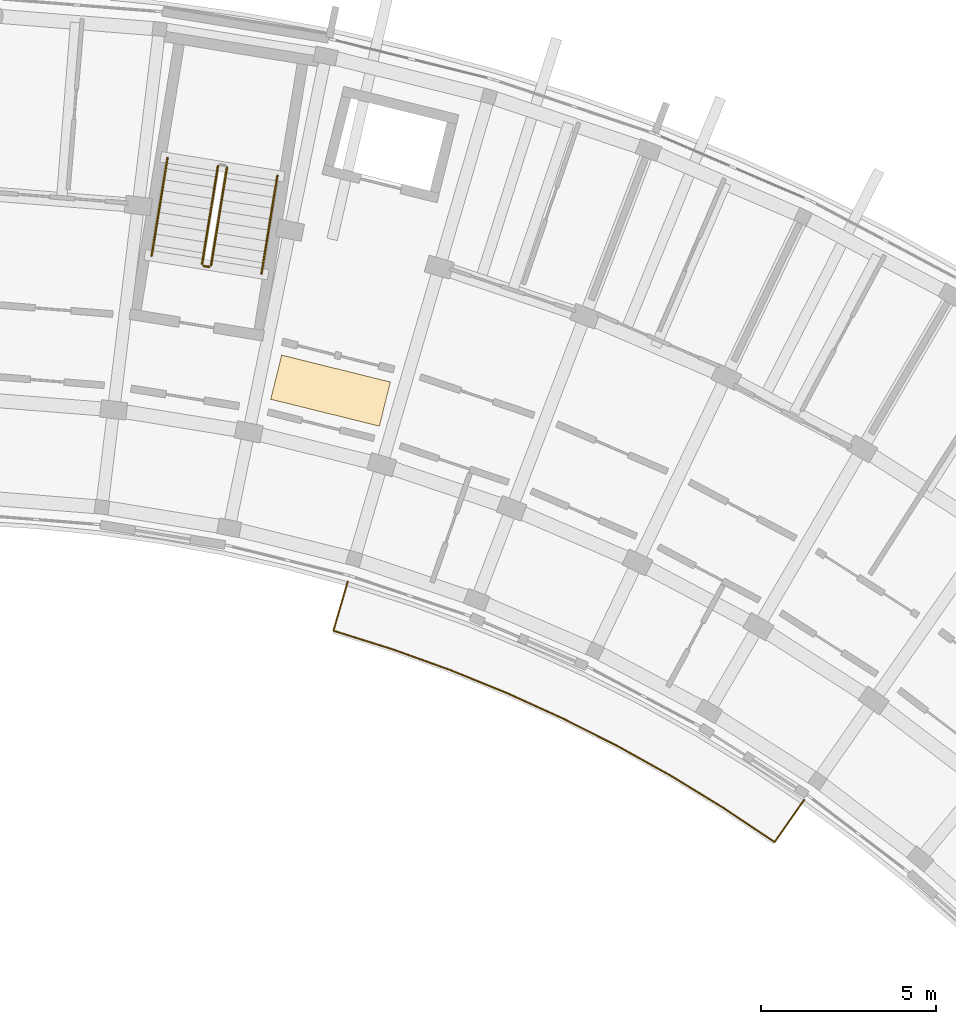
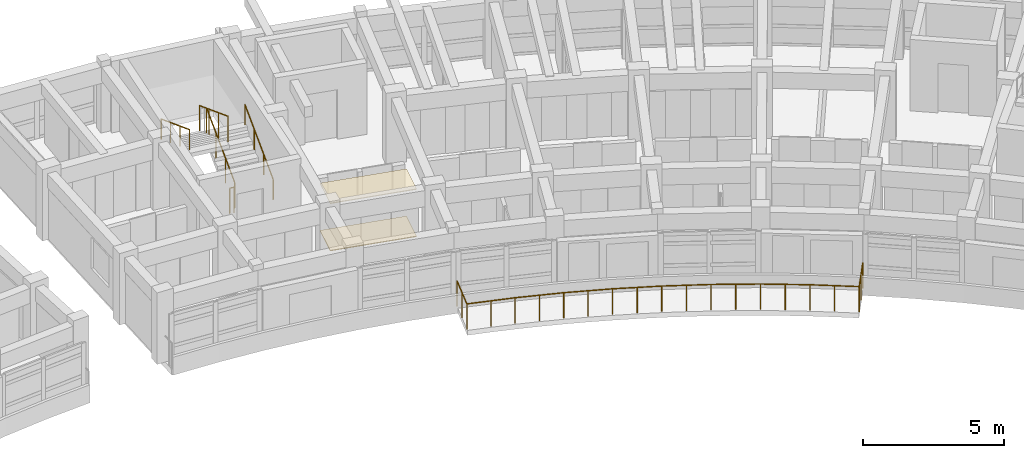
# One storey, part 45 of 54: 6 railings, 2 coverings.
"""IFC4 building model written with IfcOpenShell, lengths in metres."""

from ifc_helpers import new_model, si_unit, direction, frame, origin, origin_2d, place, context, subcontext, project, spatial, rectangle, circle, extrude, material, layer, layer_set, type_object, element, save


model = new_model("IFC4")

# Units and contexts
model_context = context("Model", 3, precision=1e-05, world=origin(), true_north=direction((0.0, 1.0)))
body_context = subcontext(model_context, "Body", "Model", "MODEL_VIEW")
ifc_project = project(units=[si_unit("LENGTHUNIT", "METRE"), si_unit("AREAUNIT", "SQUARE_METRE"), si_unit("VOLUMEUNIT", "CUBIC_METRE"), si_unit("PLANEANGLEUNIT", "RADIAN"), si_unit("MASSUNIT", "GRAM", prefix="KILO")], contexts=[model_context])

# Site, building, storey
site_placement = place(None, origin())
site = spatial("IfcSite", under=ifc_project, at=site_placement, CompositionType="ELEMENT")
building_placement = place(site_placement, origin())
building = spatial("IfcBuilding", under=site, at=building_placement, Name="Zimvara Arc Housing Community", CompositionType="ELEMENT")
storey_placement = place(building_placement, frame((0.0, 0.0, 23.60009765625)))
storey = spatial("IfcBuildingStorey", under=building, at=storey_placement, Name="L07", CompositionType="ELEMENT", Elevation=23.60009765625)

# Coverings
ifc_material_1 = material(Name="Perforated Acoustic Ceiling Board")
ifc_layer_1 = layer(ifc_material_1, 0.030029296875)
ifc_layer_set_1 = layer_set([ifc_layer_1], Name="Perforated Acoustic Ceiling Board")
covering_type_1 = type_object("IfcCoveringType", Name="COV-CEIL-04", PredefinedType="CEILING", material=ifc_layer_set_1)
covering_1_placement = place(storey_placement, frame((56.938232421875, 92.625, 2.0498046875), z_axis=(0.0, 0.0, 1.0), x_axis=(0.240228042477, 0.970716481578, 0.0)))
element("IfcCovering", 1, at=covering_1_placement, inside=storey, type_object=covering_type_1, Name="ceil:blkB:L07", PredefinedType="CEILING", context=body_context, shape_type="SweptSolid", body=[
    extrude(rectangle(XDim=1.300048828125, YDim=3.199951171875, at=origin_2d()), origin(), (0.0, 0.0, 1.0), 0.030029296875),
])
ifc_material_2 = material(Name="Polished Coastal Sand Terrazzo")
ifc_layer_2 = layer(ifc_material_2, 0.031982421875)
ifc_layer_set_2 = layer_set([ifc_layer_2], Name="Polished Coastal Sand Terrazzo")
covering_type_2 = type_object("IfcCoveringType", Name="COV-FLOR-04", PredefinedType="FLOORING", material=ifc_layer_set_2)
covering_2_placement = place(storey_placement, frame((56.938232421875, 92.625, 0.0), z_axis=(0.0, 0.0, 1.0), x_axis=(0.240228042477, 0.970716481578, 0.0)))
element("IfcCovering", 2, at=covering_2_placement, inside=storey, type_object=covering_type_2, Name="flor:blkB:L07", PredefinedType="FLOORING", context=body_context, shape_type="SweptSolid", body=[
    extrude(rectangle(XDim=1.300048828125, YDim=3.199951171875, at=origin_2d()), origin(), (0.0, 0.0, 1.0), 0.031982421875),
])

# Railings
ifc_material_3 = material(Name="Anodised Aluminium AW-6063", Category="aluminium")
railing_type_1 = type_object("IfcRailingType", Name="RLG-BAL-1120", PredefinedType="BALUSTRADE", material=ifc_material_3)
railing_1_placement = place(storey_placement, frame((57.430908203125, 87.17626953125, 0.0)))
element("IfcRailing", 3, at=railing_1_placement, inside=storey, type_object=railing_type_1, Name="rlg:blkB:L07:bal_in_guard", PredefinedType="BALUSTRADE", context=body_context, shape_type="SweptSolid", body=[
    extrude(circle(Radius=0.02392578125, at=origin_2d()), frame((0.0, 0.0, 1.09619140625), z_axis=(-0.279719338513, -0.960081815087, 0.0), x_axis=(0.960081815087, -0.279719338513, 0.0)), (0.0, 0.0, 1.0), 1.4697265625),
    extrude(circle(Radius=0.02392578125, at=origin_2d()), frame((-0.4111328125, -1.4111328125, 1.09619140625), z_axis=(0.954192435663, -0.299193575672, 0.0), x_axis=(0.299193575672, 0.954192435663, 0.0)), (0.0, 0.0, 1.0), 1.755126953125),
    extrude(circle(Radius=0.02392578125, at=origin_2d()), frame((1.263671875, -1.936279296875, 1.09619140625), z_axis=(0.941158376395, -0.33796584227, 0.0), x_axis=(0.33796584227, 0.941158376395, 0.0)), (0.0, 0.0, 1.0), 1.75537109375),
    extrude(circle(Radius=0.02392578125, at=origin_2d()), frame((2.915771484375, -2.529541015625, 1.09619140625), z_axis=(0.926565071811, -0.376134507458, 0.0), x_axis=(0.376134507458, 0.926565071811, 0.0)), (0.0, 0.0, 1.0), 1.755126953125),
    extrude(circle(Radius=0.02392578125, at=origin_2d()), frame((4.5419921875, -3.189697265625, 1.09619140625), z_axis=(0.91049504579, -0.413519977258, 0.0), x_axis=(0.413519977258, 0.91049504579, 0.0)), (0.0, 0.0, 1.0), 1.755126953125),
    extrude(circle(Radius=0.02392578125, at=origin_2d()), frame((6.14013671875, -3.91552734375, 1.09619140625), z_axis=(0.892835912271, -0.450382097512, 0.0), x_axis=(0.450382097512, 0.892835912271, 0.0)), (0.0, 0.0, 1.0), 1.755126953125),
    extrude(circle(Radius=0.02392578125, at=origin_2d()), frame((7.707275390625, -4.7060546875, 1.09619140625), z_axis=(0.873651601958, -0.486552030513, 0.0), x_axis=(0.486552030513, 0.873651601958, 0.0)), (0.0, 0.0, 1.0), 1.755126953125),
    extrude(circle(Radius=0.02392578125, at=origin_2d()), frame((9.24072265625, -5.56005859375, 1.09619140625), z_axis=(0.853092665747, -0.52175943082, 0.0), x_axis=(0.52175943082, 0.853092665747, 0.0)), (0.0, 0.0, 1.0), 1.755126953125),
    extrude(circle(Radius=0.02392578125, at=origin_2d()), frame((10.738037109375, -6.475830078125, 1.09619140625), z_axis=(0.83110751259, -0.556111771604, 0.0), x_axis=(0.556111771604, 0.83110751259, 0.0)), (0.0, 0.0, 1.0), 1.755126953125),
    extrude(circle(Radius=0.02392578125, at=origin_2d()), frame((12.19677734375, -7.451904296875, 1.09619140625), z_axis=(0.572960666414, 0.819582866306, 0.0), x_axis=(-0.819582866306, 0.572960666414, 0.0)), (0.0, 0.0, 1.0), 1.469970703125),
    extrude(circle(Radius=0.02099609375, at=origin_2d()), origin(), (0.0, 0.0, 1.0), 1.072021484375),
    extrude(circle(Radius=0.02099609375, at=origin_2d()), frame((-0.20556640625, -0.70556640625, 0.0)), (0.0, 0.0, 1.0), 1.072021484375),
    extrude(circle(Radius=0.02099609375, at=origin_2d()), frame((-0.4111328125, -1.4111328125, 0.0)), (0.0, 0.0, 1.0), 1.072021484375),
    extrude(circle(Radius=0.02099609375, at=origin_2d()), frame((0.42626953125, -1.673828125, 0.0)), (0.0, 0.0, 1.0), 1.072021484375),
    extrude(circle(Radius=0.02099609375, at=origin_2d()), frame((1.263671875, -1.936279296875, 0.0)), (0.0, 0.0, 1.0), 1.072021484375),
    extrude(circle(Radius=0.02099609375, at=origin_2d()), frame((2.08984375, -2.23291015625, 0.0)), (0.0, 0.0, 1.0), 1.072021484375),
    extrude(circle(Radius=0.02099609375, at=origin_2d()), frame((2.915771484375, -2.529541015625, 0.0)), (0.0, 0.0, 1.0), 1.072021484375),
    extrude(circle(Radius=0.02099609375, at=origin_2d()), frame((3.72900390625, -2.859619140625, 0.0)), (0.0, 0.0, 1.0), 1.072021484375),
    extrude(circle(Radius=0.02099609375, at=origin_2d()), frame((4.5419921875, -3.189697265625, 0.0)), (0.0, 0.0, 1.0), 1.072021484375),
    extrude(circle(Radius=0.02099609375, at=origin_2d()), frame((5.341064453125, -3.552734375, 0.0)), (0.0, 0.0, 1.0), 1.072021484375),
    extrude(circle(Radius=0.02099609375, at=origin_2d()), frame((6.14013671875, -3.91552734375, 0.0)), (0.0, 0.0, 1.0), 1.072021484375),
    extrude(circle(Radius=0.02099609375, at=origin_2d()), frame((6.923828125, -4.310791015625, 0.0)), (0.0, 0.0, 1.0), 1.072021484375),
    extrude(circle(Radius=0.02099609375, at=origin_2d()), frame((7.707275390625, -4.7060546875, 0.0)), (0.0, 0.0, 1.0), 1.072021484375),
    extrude(circle(Radius=0.02099609375, at=origin_2d()), frame((8.47412109375, -5.133056640625, 0.0)), (0.0, 0.0, 1.0), 1.072021484375),
    extrude(circle(Radius=0.02099609375, at=origin_2d()), frame((9.24072265625, -5.56005859375, 0.0)), (0.0, 0.0, 1.0), 1.072021484375),
    extrude(circle(Radius=0.02099609375, at=origin_2d()), frame((9.9892578125, -6.01806640625, 0.0)), (0.0, 0.0, 1.0), 1.072021484375),
    extrude(circle(Radius=0.02099609375, at=origin_2d()), frame((10.738037109375, -6.475830078125, 0.0)), (0.0, 0.0, 1.0), 1.072021484375),
    extrude(circle(Radius=0.02099609375, at=origin_2d()), frame((11.46728515625, -6.9638671875, 0.0)), (0.0, 0.0, 1.0), 1.072021484375),
    extrude(circle(Radius=0.02099609375, at=origin_2d()), frame((12.19677734375, -7.451904296875, 0.0)), (0.0, 0.0, 1.0), 1.072021484375),
    extrude(circle(Radius=0.02099609375, at=origin_2d()), frame((12.617919921875, -6.849609375, 0.0)), (0.0, 0.0, 1.0), 1.072021484375),
    extrude(circle(Radius=0.02099609375, at=origin_2d()), frame((13.0390625, -6.2470703125, 0.0)), (0.0, 0.0, 1.0), 1.072021484375),
])
railing_2_placement = place(storey_placement, frame((53.524169921875, 96.2021484375, 0.15478515625)))
element("IfcRailing", 4, at=railing_2_placement, inside=storey, type_object=railing_type_1, Name="L07 ST-B1 stair guard 1", PredefinedType="BALUSTRADE", context=body_context, shape_type="SweptSolid", body=[
    extrude(circle(Radius=0.02392578125, at=origin_2d()), frame((0.0, 0.0, 1.09619140625), z_axis=(0.143721784145, 0.885666177347, 0.441519502474), x_axis=(-0.987087819028, 0.160180016, 0.0)), (0.0, 0.0, 1.0), 3.15966796875),
    extrude(circle(Radius=0.02099609375, at=origin_2d()), origin(), (0.0, 0.0, 1.0), 1.072021484375),
    extrude(circle(Radius=0.02099609375, at=origin_2d()), frame((0.1513671875, 0.932861328125, 0.465087890625)), (0.0, 0.0, 1.0), 1.072021484375),
    extrude(circle(Radius=0.02099609375, at=origin_2d()), frame((0.302734375, 1.865478515625, 0.929931640625)), (0.0, 0.0, 1.0), 1.072021484375),
    extrude(circle(Radius=0.02099609375, at=origin_2d()), frame((0.4541015625, 2.79833984375, 1.39501953125)), (0.0, 0.0, 1.0), 1.072021484375),
])
railing_3_placement = place(storey_placement, frame((53.7216796875, 99.042236328125, 1.704833984375)))
element("IfcRailing", 5, at=railing_3_placement, inside=storey, type_object=railing_type_1, Name="L07 ST-B1 stair guard 3", PredefinedType="BALUSTRADE", context=body_context, shape_type="SweptSolid", body=[
    extrude(circle(Radius=0.02392578125, at=origin_2d()), frame((0.0, 0.0, 1.09619140625), z_axis=(-0.143721784145, -0.885666177347, 0.441519502474), x_axis=(0.987087819028, -0.160180016, 0.0)), (0.0, 0.0, 1.0), 3.15966796875),
    extrude(circle(Radius=0.02099609375, at=origin_2d()), origin(), (0.0, 0.0, 1.0), 1.072021484375),
    extrude(circle(Radius=0.02099609375, at=origin_2d()), frame((-0.1513671875, -0.932861328125, 0.465087890625)), (0.0, 0.0, 1.0), 1.072021484375),
    extrude(circle(Radius=0.02099609375, at=origin_2d()), frame((-0.302734375, -1.865478515625, 0.929931640625)), (0.0, 0.0, 1.0), 1.072021484375),
    extrude(circle(Radius=0.02099609375, at=origin_2d()), frame((-0.4541015625, -2.79833984375, 1.39501953125)), (0.0, 0.0, 1.0), 1.072021484375),
])
railing_4_placement = place(storey_placement, frame((53.466796875, 96.160888671875, 0.0)))
element("IfcRailing", 6, at=railing_4_placement, inside=storey, type_object=railing_type_1, Name="L07 ST-B1 stair guard 4", PredefinedType="BALUSTRADE", context=body_context, shape_type="SweptSolid", body=[
    extrude(circle(Radius=0.02392578125, at=origin_2d()), frame((0.0, 0.0, 1.09619140625), z_axis=(-0.987085924886, 0.160191687964, 0.0), x_axis=(-0.160191687964, -0.987085924886, 0.0)), (0.0, 0.0, 1.0), 0.159912109375),
    extrude(circle(Radius=0.02099609375, at=origin_2d()), origin(), (0.0, 0.0, 1.0), 1.072021484375),
    extrude(circle(Radius=0.02099609375, at=origin_2d()), frame((-0.157958984375, 0.025634765625, 0.0)), (0.0, 0.0, 1.0), 1.072021484375),
])
ifc_material_4 = material(Name="Anodised Aluminium AW-6063", Category="aluminium")
railing_type_2 = type_object("IfcRailingType", Name="RLG-HND-900", PredefinedType="HANDRAIL", material=ifc_material_4)
railing_5_placement = place(storey_placement, frame((54.96533203125, 95.96826171875, 0.15478515625)))
element("IfcRailing", 7, at=railing_5_placement, inside=storey, type_object=railing_type_2, Name="L07 ST-B1 stair handrail 1", PredefinedType="HANDRAIL", context=body_context, shape_type="SweptSolid", body=[
    extrude(circle(Radius=0.02392578125, at=origin_2d()), frame((0.0, 0.0, 0.8759765625), z_axis=(0.143721784145, 0.885666177347, 0.441519502474), x_axis=(-0.987087819028, 0.160180016, 0.0)), (0.0, 0.0, 1.0), 3.15966796875),
    extrude(circle(Radius=0.02099609375, at=origin_2d()), origin(), (0.0, 0.0, 1.0), 0.851806640625),
    extrude(circle(Radius=0.02099609375, at=origin_2d()), frame((0.1513671875, 0.932861328125, 0.465087890625)), (0.0, 0.0, 1.0), 0.851806640625),
    extrude(circle(Radius=0.02099609375, at=origin_2d()), frame((0.302734375, 1.865478515625, 0.929931640625)), (0.0, 0.0, 1.0), 0.851806640625),
    extrude(circle(Radius=0.02099609375, at=origin_2d()), frame((0.4541015625, 2.79833984375, 1.39501953125)), (0.0, 0.0, 1.0), 0.851806640625),
])
railing_6_placement = place(storey_placement, frame((52.280517578125, 99.276123046875, 1.704833984375)))
element("IfcRailing", 8, at=railing_6_placement, inside=storey, type_object=railing_type_2, Name="L07 ST-B1 stair handrail 2", PredefinedType="HANDRAIL", context=body_context, shape_type="SweptSolid", body=[
    extrude(circle(Radius=0.02392578125, at=origin_2d()), frame((0.0, 0.0, 0.8759765625), z_axis=(-0.143721784145, -0.885666177347, 0.441519502474), x_axis=(0.987087819028, -0.160180016, 0.0)), (0.0, 0.0, 1.0), 3.15966796875),
    extrude(circle(Radius=0.02099609375, at=origin_2d()), origin(), (0.0, 0.0, 1.0), 0.851806640625),
    extrude(circle(Radius=0.02099609375, at=origin_2d()), frame((-0.1513671875, -0.932861328125, 0.465087890625)), (0.0, 0.0, 1.0), 0.851806640625),
    extrude(circle(Radius=0.02099609375, at=origin_2d()), frame((-0.302734375, -1.865478515625, 0.929931640625)), (0.0, 0.0, 1.0), 0.851806640625),
    extrude(circle(Radius=0.02099609375, at=origin_2d()), frame((-0.4541015625, -2.79833984375, 1.39501953125)), (0.0, 0.0, 1.0), 0.851806640625),
])

save(model, "model.ifc")
